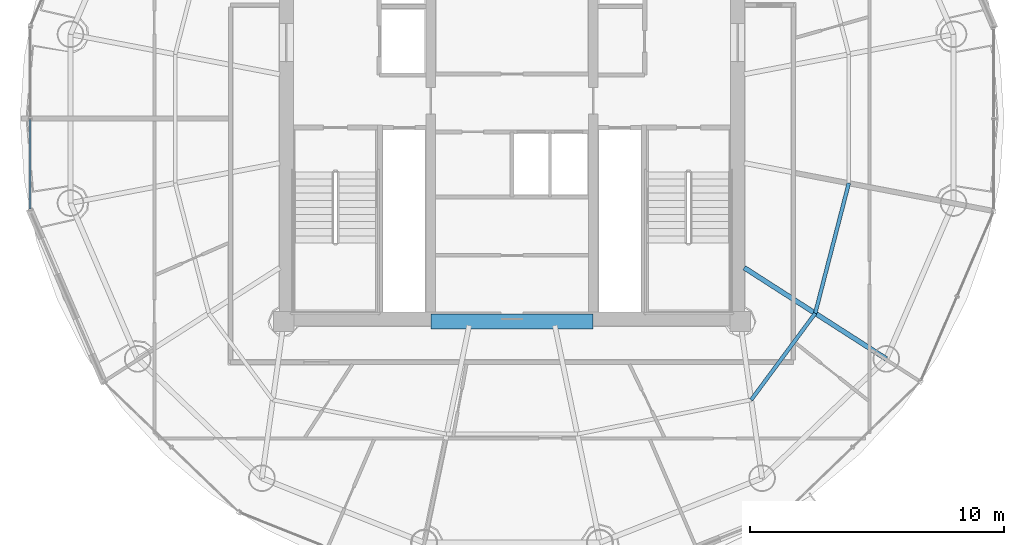
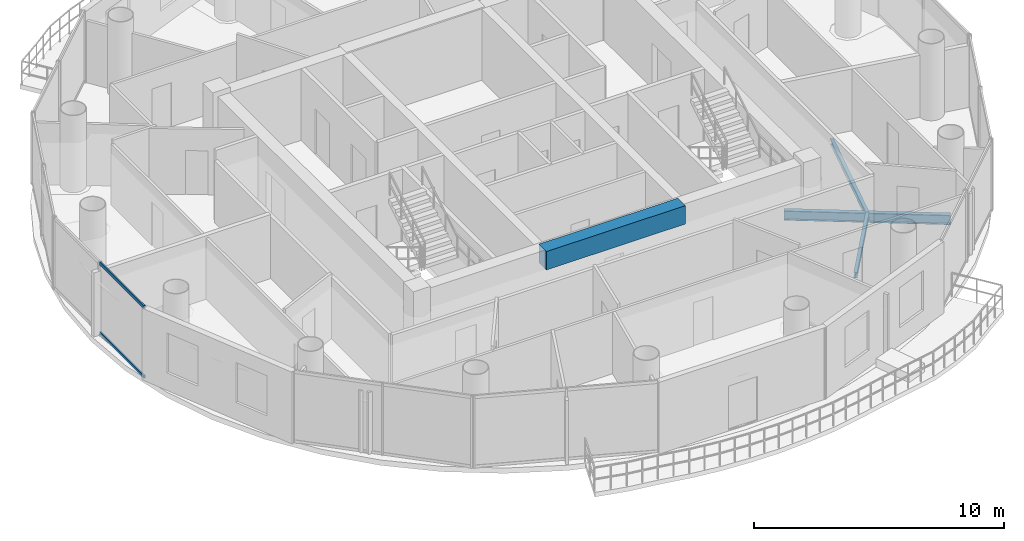
# One storey, part 7 of 24: 4 beams, 2 members, 1 element without a shape of its own.
"""IFC4 building model written with IfcOpenShell, lengths in metres."""

from ifc_helpers import new_model, si_unit, direction, frame, origin, origin_2d, place, context, subcontext, project, spatial, rectangle, hollow_rectangle, i_section, extrude, source, transform, mapped, material, material_profile, profile_set, type_object, element, aggregate, save


model = new_model("IFC4")

# Units and contexts
model_context = context("Model", 3, precision=1e-05, world=origin(), true_north=direction((-0.2419218956, 0.970295726276)))
body_context = subcontext(model_context, "Body", "Model", "MODEL_VIEW")
ifc_project = project(units=[si_unit("LENGTHUNIT", "METRE"), si_unit("AREAUNIT", "SQUARE_METRE"), si_unit("VOLUMEUNIT", "CUBIC_METRE"), si_unit("PLANEANGLEUNIT", "RADIAN"), si_unit("MASSUNIT", "GRAM", prefix="KILO")], contexts=[model_context])

# Site, building, storey
site_placement = place(None, origin())
site = spatial("IfcSite", under=ifc_project, at=site_placement, CompositionType="ELEMENT")
building_placement = place(site_placement, origin())
building = spatial("IfcBuilding", under=site, at=building_placement, Name="Cobrevalo Terracotta Tower", CompositionType="ELEMENT")
storey_placement = place(building_placement, frame((0.0, 0.0, 293.199951171875)))
storey = spatial("IfcBuildingStorey", under=building, at=storey_placement, Name="L77", CompositionType="ELEMENT", Elevation=293.199951171875)

# Beams
ifc_material_1 = material(Name="Concrete C60", Category="concrete")
ifc_material_profile_1 = material_profile(ifc_material_1, rectangle(XDim=0.60009765625, YDim=0.89990234375, at=origin_2d()), Name="RC CB 600x900")
ifc_profile_set_1 = profile_set([ifc_material_profile_1], Name="Concrete C60")
beam_type_1 = type_object("IfcBeamType", Name="Structural Beam RC CB 600x900 (Concrete C60)", PredefinedType="BEAM", material=ifc_profile_set_1)
beam_1_placement = place(storey_placement, frame((34.800048828125, 18.800048828125, 3.0400390625), z_axis=(1.0, 0.0, 0.0), x_axis=(0.0, 1.0, 0.0)))
element("IfcBeam", 1, at=beam_1_placement, inside=storey, type_object=beam_type_1, Name="L77 core coupling beam 1", PredefinedType="BEAM", context=body_context, shape_type="SweptSolid", body=[
    extrude(rectangle(XDim=0.60009765625, YDim=0.89990234375, at=origin_2d()), origin(), (0.0, 0.0, 1.0), 6.39990234375),
])
ifc_material_2 = material(Name="Steel S355", Category="steel")
ifc_material_profile_2 = material_profile(ifc_material_2, i_section(OverallWidth=0.19091796875, OverallDepth=0.4599609375, WebThickness=0.010009765625, FlangeThickness=0.01611328125, at=origin_2d()), Name="W 460x82")
ifc_profile_set_2 = profile_set([ifc_material_profile_2], Name="Steel S355")
beam_type_2 = type_object("IfcBeamType", Name="Structural Beam W 460x82 (Steel S355)", PredefinedType="BEAM", material=ifc_profile_set_2)
beam_2_placement = place(storey_placement, frame((52.758544921875, 17.32763671875, -0.489990234375), z_axis=(-0.84157615512, 0.540138477739, 0.0), x_axis=(-0.540138477739, -0.84157615512, 0.0)))
element("IfcBeam", 2, at=beam_2_placement, inside=storey, type_object=beam_type_2, Name="L77 radial floor girder 15", PredefinedType="BEAM", context=body_context, shape_type="SweptSolid", body=[
    extrude(i_section(OverallWidth=0.19091796875, OverallDepth=0.4599609375, WebThickness=0.010009765625, FlangeThickness=0.01611328125, at=origin_2d()), origin(), (0.0, 0.0, 1.0), 6.658447265625),
])
ifc_material_profile_3 = material_profile(ifc_material_2, i_section(OverallWidth=0.14794921875, OverallDepth=0.26611328125, WebThickness=0.007568359375, FlangeThickness=0.012939453125, at=origin_2d()), Name="W 250x44.8")
ifc_profile_set_3 = profile_set([ifc_material_profile_3], Name="Steel S355")
beam_type_3 = type_object("IfcBeamType", Name="Structural Joist W 250x44.8 (Steel S355)", PredefinedType="JOIST", material=ifc_profile_set_3)
beam_3_placement = place(storey_placement, frame((47.4306640625, 15.711669921875, -0.39306640625), z_axis=(0.594799916617, 0.803873783123, 0.0), x_axis=(-0.803873783123, 0.594799916617, 0.0)))
element("IfcBeam", 3, at=beam_3_placement, inside=storey, type_object=beam_type_3, Name="L77 circumferential secondary floor joist 14", PredefinedType="JOIST", context=body_context, shape_type="SweptSolid", body=[
    extrude(i_section(OverallWidth=0.14794921875, OverallDepth=0.26611328125, WebThickness=0.007568359375, FlangeThickness=0.012939453125, at=origin_2d()), origin(), (0.0, 0.0, 1.0), 4.2470703125),
])
beam_4_placement = place(storey_placement, frame((49.956787109375, 19.125732421875, -0.39306640625), z_axis=(0.249816773293, 0.968293126993, 0.0), x_axis=(-0.968293126993, 0.249816773293, 0.0)))
element("IfcBeam", 4, at=beam_4_placement, inside=storey, type_object=beam_type_3, Name="L77 circumferential secondary floor joist 15", PredefinedType="JOIST", context=body_context, shape_type="SweptSolid", body=[
    extrude(i_section(OverallWidth=0.14794921875, OverallDepth=0.26611328125, WebThickness=0.007568359375, FlangeThickness=0.012939453125, at=origin_2d()), origin(), (0.0, 0.0, 1.0), 5.3046875),
])

# Curtain wall, members
ifc_material_3 = material(Name="Anodized aluminium", Category="aluminium")
curtain_wall_type = type_object("IfcCurtainWallType", Name="Upper-tower triple-glazed penthouse curtain wall CW-U3", PredefinedType="NOTDEFINED", material=ifc_material_3)
curtain_wall_placement = place(storey_placement, origin())
curtain_wall = element("IfcCurtainWall", 5, at=curtain_wall_placement, inside=storey, type_object=curtain_wall_type, Name="L77 curtain wall CW-L77-S08", PredefinedType="NOTDEFINED")
ifc_material_profile_4 = material_profile(ifc_material_3, hollow_rectangle(XDim=0.074951171875, YDim=0.14990234375, WallThickness=0.00439453125, at=origin_2d()), Name="CWT 75x150")
ifc_profile_set_4 = profile_set([ifc_material_profile_4], Name="Anodized aluminium")
member_type = type_object("IfcMemberType", Name="Tower unitised aluminium transom 75x150", PredefinedType="USERDEFINED", material=ifc_profile_set_4)
shared_shape = source(origin(), body_context, "Body", "SweptSolid", [
    extrude(hollow_rectangle(XDim=0.074951171875, YDim=0.14990234375, WallThickness=0.00439453125, at=origin_2d()), origin(), (0.0, 0.0, 1.0), 3.5224609375),
])
member_1_placement = place(storey_placement, frame((19.002197265625, 26.760009765625, 0.050048828125), z_axis=(0.0, -1.0, 0.0), x_axis=(1.0, 0.0, 0.0)))
member_1 = element("IfcMember", 6, at=member_1_placement, type_object=member_type, Name="CW-L77-S08 transom B02-T1", ObjectType="TRANSOM", PredefinedType="USERDEFINED", context=body_context, shape_type="MappedRepresentation", body=[
    mapped(shared_shape, transform((0.0, 0.0, 0.0), scale=1.0)),
])
member_2_placement = place(storey_placement, frame((19.002197265625, 26.760009765625, 3.43994140625), z_axis=(0.0, -1.0, 0.0), x_axis=(1.0, 0.0, 0.0)))
member_2 = element("IfcMember", 7, at=member_2_placement, type_object=member_type, Name="CW-L77-S08 transom B02-T2", ObjectType="TRANSOM", PredefinedType="USERDEFINED", context=body_context, shape_type="MappedRepresentation", body=[
    mapped(shared_shape, transform((0.0, 0.0, 0.0), scale=1.0)),
])
aggregate(curtain_wall, [member_1, member_2])

save(model, "model.ifc")
